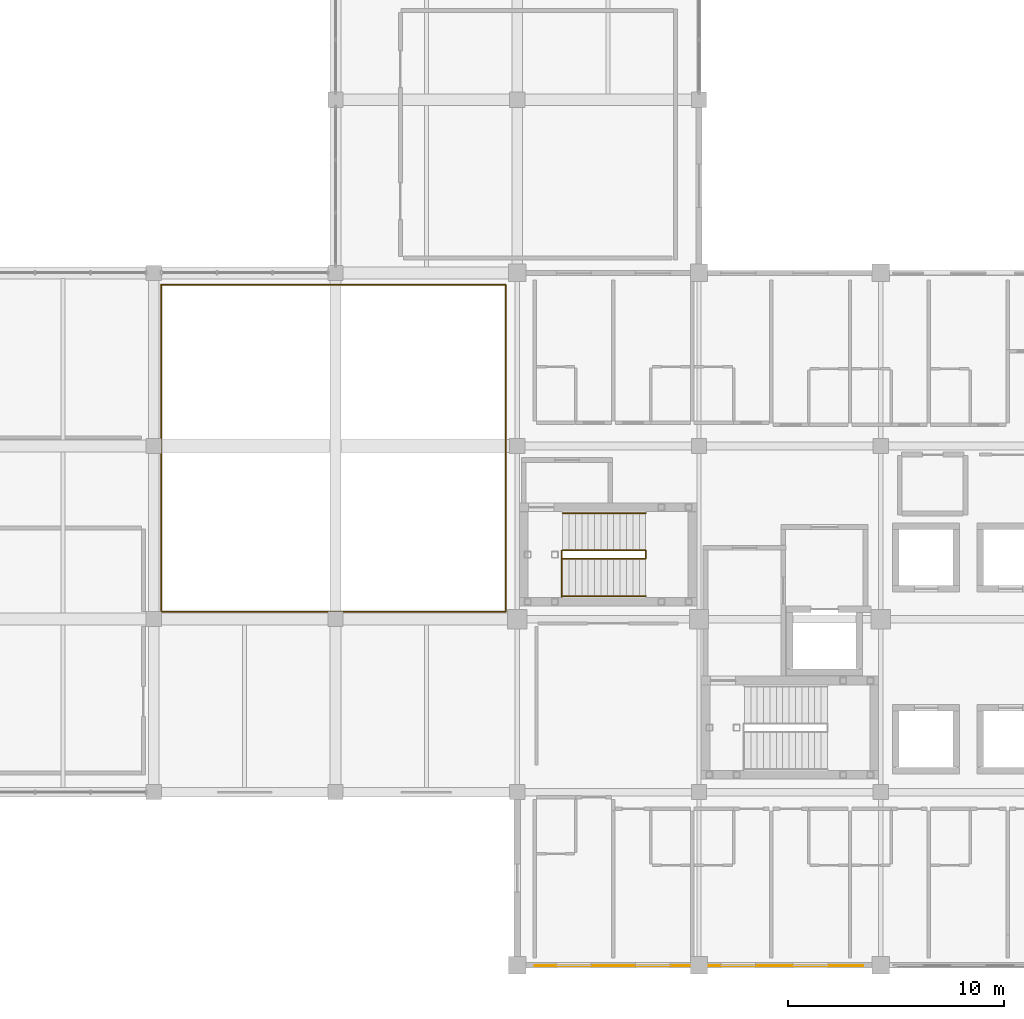
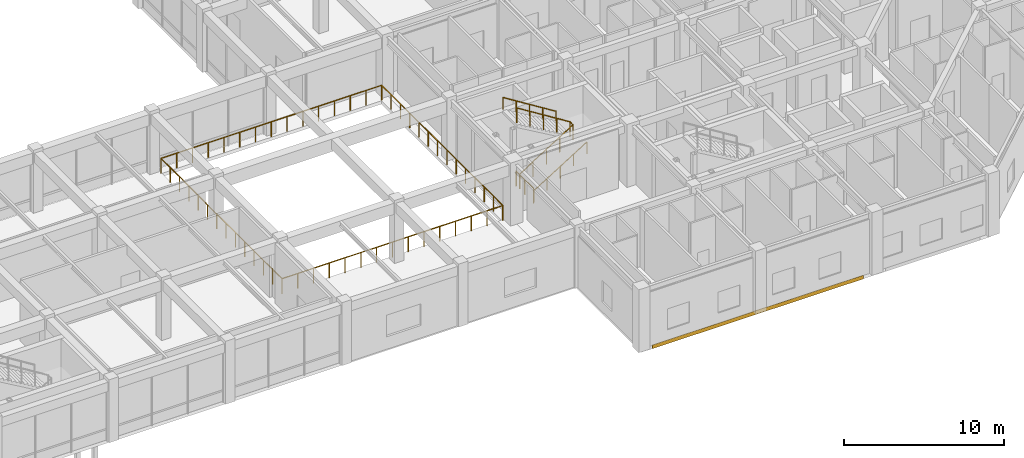
# One storey, part 73 of 76: 10 railings, 1 covering.
"""IFC4 building model written with IfcOpenShell, lengths in metres."""

from ifc_helpers import new_model, si_unit, direction, frame, origin, origin_2d, place, context, subcontext, project, spatial, rectangle, circle, extrude, material, layer, layer_set, type_object, element, save


model = new_model("IFC4")

# Units and contexts
model_context = context("Model", 3, precision=1e-05, world=origin(), true_north=direction((0.0, 1.0)))
body_context = subcontext(model_context, "Body", "Model", "MODEL_VIEW")
ifc_project = project(units=[si_unit("LENGTHUNIT", "METRE"), si_unit("AREAUNIT", "SQUARE_METRE"), si_unit("VOLUMEUNIT", "CUBIC_METRE"), si_unit("PLANEANGLEUNIT", "RADIAN"), si_unit("MASSUNIT", "GRAM", prefix="KILO")], contexts=[model_context])

# Site, building, storey
site_placement = place(None, origin())
site = spatial("IfcSite", under=ifc_project, at=site_placement, CompositionType="ELEMENT")
building_placement = place(site_placement, origin())
building = spatial("IfcBuilding", under=site, at=building_placement, Name="Naruveol Harbour Congress Hotel", CompositionType="ELEMENT")
storey_placement = place(building_placement, frame((0.0, 0.0, 11.39990234375)))
storey = spatial("IfcBuildingStorey", under=building, at=storey_placement, Name="L02", CompositionType="ELEMENT", Elevation=11.39990234375)

# Covering
ifc_material_1 = material(Name="Precast concrete C40/50", Category="concrete")
ifc_layer_1 = layer(ifc_material_1, 0.044921875)
ifc_layer_set_1 = layer_set([ifc_layer_1], Name="Precast concrete C40/50")
covering_type = type_object("IfcCoveringType", Name="HONED INCHEON GRANITE SPANDREL CLADDING 45", PredefinedType="CLADDING", material=ifc_layer_set_1)
covering_placement = place(storey_placement, frame((126.0, -0.02001953125, -0.31982421875), z_axis=(0.0, 0.0, 1.0), x_axis=(1.0, 0.0, 0.0)))
element("IfcCovering", 1, at=covering_placement, inside=storey, type_object=covering_type, Name="Granite spandrel fascia cladding #9", PredefinedType="CLADDING", context=body_context, shape_type="SweptSolid", body=[
    extrude(rectangle(XDim=15.199951171875, YDim=0.044921875, at=origin_2d()), origin(), (0.0, 0.0, 1.0), 0.280029296875),
])

# Railings
ifc_material_2 = material(Name="Tempered Laminated Safety Glass & Stainless Steel", Category="steel")
ifc_layer_2 = layer(ifc_material_2, 0.06005859375)
ifc_layer_set_2 = layer_set([ifc_layer_2], Name="Tempered Laminated Safety Glass & Stainless Steel")
railing_type_1 = type_object("IfcRailingType", Name="LAMINATED GLASS TERRACE BALUSTRADE 1150", PredefinedType="BALUSTRADE", material=ifc_layer_set_2)
railing_1_placement = place(storey_placement, frame((101.139892578125, 16.340087890625, 0.0)))
element("IfcRailing", 2, at=railing_1_placement, inside=storey, type_object=railing_type_1, Name="Courtyard atrium balustrade L02 #50", PredefinedType="BALUSTRADE", context=body_context, shape_type="SweptSolid", body=[
    extrude(circle(Radius=0.02392578125, at=origin_2d()), frame((0.0, 0.0, 1.1259765625), z_axis=(1.0, 0.0, 0.0), x_axis=(0.0, 1.0, 0.0)), (0.0, 0.0, 1.0), 15.920166015625),
    extrude(circle(Radius=0.02099609375, at=origin_2d()), origin(), (0.0, 0.0, 1.0), 1.101806640625),
    extrude(circle(Radius=0.02099609375, at=origin_2d()), frame((1.13720703125, 0.0, 0.0)), (0.0, 0.0, 1.0), 1.101806640625),
    extrude(circle(Radius=0.02099609375, at=origin_2d()), frame((2.2744140625, 0.0, 0.0)), (0.0, 0.0, 1.0), 1.101806640625),
    extrude(circle(Radius=0.02099609375, at=origin_2d()), frame((3.411376953125, 0.0, 0.0)), (0.0, 0.0, 1.0), 1.101806640625),
    extrude(circle(Radius=0.02099609375, at=origin_2d()), frame((4.548583984375, 0.0, 0.0)), (0.0, 0.0, 1.0), 1.101806640625),
    extrude(circle(Radius=0.02099609375, at=origin_2d()), frame((5.685791015625, 0.0, 0.0)), (0.0, 0.0, 1.0), 1.101806640625),
    extrude(circle(Radius=0.02099609375, at=origin_2d()), frame((6.822998046875, 0.0, 0.0)), (0.0, 0.0, 1.0), 1.101806640625),
    extrude(circle(Radius=0.02099609375, at=origin_2d()), frame((7.9599609375, 0.0, 0.0)), (0.0, 0.0, 1.0), 1.101806640625),
    extrude(circle(Radius=0.02099609375, at=origin_2d()), frame((9.09716796875, 0.0, 0.0)), (0.0, 0.0, 1.0), 1.101806640625),
    extrude(circle(Radius=0.02099609375, at=origin_2d()), frame((10.234375, 0.0, 0.0)), (0.0, 0.0, 1.0), 1.101806640625),
    extrude(circle(Radius=0.02099609375, at=origin_2d()), frame((11.37158203125, 0.0, 0.0)), (0.0, 0.0, 1.0), 1.101806640625),
    extrude(circle(Radius=0.02099609375, at=origin_2d()), frame((12.5087890625, 0.0, 0.0)), (0.0, 0.0, 1.0), 1.101806640625),
    extrude(circle(Radius=0.02099609375, at=origin_2d()), frame((13.645751953125, 0.0, 0.0)), (0.0, 0.0, 1.0), 1.101806640625),
    extrude(circle(Radius=0.02099609375, at=origin_2d()), frame((14.782958984375, 0.0, 0.0)), (0.0, 0.0, 1.0), 1.101806640625),
    extrude(circle(Radius=0.02099609375, at=origin_2d()), frame((15.920166015625, 0.0, 0.0)), (0.0, 0.0, 1.0), 1.101806640625),
])
railing_2_placement = place(storey_placement, frame((117.06005859375, 16.340087890625, 0.0)))
element("IfcRailing", 3, at=railing_2_placement, inside=storey, type_object=railing_type_1, Name="Courtyard atrium balustrade L02 #51", PredefinedType="BALUSTRADE", context=body_context, shape_type="SweptSolid", body=[
    extrude(circle(Radius=0.02392578125, at=origin_2d()), frame((0.0, 0.0, 1.1259765625), z_axis=(0.0, 1.0, 0.0), x_axis=(-1.0, 0.0, 0.0)), (0.0, 0.0, 1.0), 15.119873046875),
    extrude(circle(Radius=0.02099609375, at=origin_2d()), origin(), (0.0, 0.0, 1.0), 1.101806640625),
    extrude(circle(Radius=0.02099609375, at=origin_2d()), frame((0.0, 1.1630859375, 0.0)), (0.0, 0.0, 1.0), 1.101806640625),
    extrude(circle(Radius=0.02099609375, at=origin_2d()), frame((0.0, 2.326171875, 0.0)), (0.0, 0.0, 1.0), 1.101806640625),
    extrude(circle(Radius=0.02099609375, at=origin_2d()), frame((0.0, 3.4892578125, 0.0)), (0.0, 0.0, 1.0), 1.101806640625),
    extrude(circle(Radius=0.02099609375, at=origin_2d()), frame((0.0, 4.65234375, 0.0)), (0.0, 0.0, 1.0), 1.101806640625),
    extrude(circle(Radius=0.02099609375, at=origin_2d()), frame((0.0, 5.8154296875, 0.0)), (0.0, 0.0, 1.0), 1.101806640625),
    extrude(circle(Radius=0.02099609375, at=origin_2d()), frame((0.0, 6.978515625, 0.0)), (0.0, 0.0, 1.0), 1.101806640625),
    extrude(circle(Radius=0.02099609375, at=origin_2d()), frame((0.0, 8.141357421875, 0.0)), (0.0, 0.0, 1.0), 1.101806640625),
    extrude(circle(Radius=0.02099609375, at=origin_2d()), frame((0.0, 9.304443359375, 0.0)), (0.0, 0.0, 1.0), 1.101806640625),
    extrude(circle(Radius=0.02099609375, at=origin_2d()), frame((0.0, 10.467529296875, 0.0)), (0.0, 0.0, 1.0), 1.101806640625),
    extrude(circle(Radius=0.02099609375, at=origin_2d()), frame((0.0, 11.630615234375, 0.0)), (0.0, 0.0, 1.0), 1.101806640625),
    extrude(circle(Radius=0.02099609375, at=origin_2d()), frame((0.0, 12.793701171875, 0.0)), (0.0, 0.0, 1.0), 1.101806640625),
    extrude(circle(Radius=0.02099609375, at=origin_2d()), frame((0.0, 13.956787109375, 0.0)), (0.0, 0.0, 1.0), 1.101806640625),
    extrude(circle(Radius=0.02099609375, at=origin_2d()), frame((0.0, 15.119873046875, 0.0)), (0.0, 0.0, 1.0), 1.101806640625),
])
railing_3_placement = place(storey_placement, frame((117.06005859375, 31.4599609375, 0.0)))
element("IfcRailing", 4, at=railing_3_placement, inside=storey, type_object=railing_type_1, Name="Courtyard atrium balustrade L02 #52", PredefinedType="BALUSTRADE", context=body_context, shape_type="SweptSolid", body=[
    extrude(circle(Radius=0.02392578125, at=origin_2d()), frame((0.0, 0.0, 1.1259765625), z_axis=(-1.0, 0.0, 0.0), x_axis=(0.0, -1.0, 0.0)), (0.0, 0.0, 1.0), 15.920166015625),
    extrude(circle(Radius=0.02099609375, at=origin_2d()), origin(), (0.0, 0.0, 1.0), 1.101806640625),
    extrude(circle(Radius=0.02099609375, at=origin_2d()), frame((-1.13720703125, 0.0, 0.0)), (0.0, 0.0, 1.0), 1.101806640625),
    extrude(circle(Radius=0.02099609375, at=origin_2d()), frame((-2.2744140625, 0.0, 0.0)), (0.0, 0.0, 1.0), 1.101806640625),
    extrude(circle(Radius=0.02099609375, at=origin_2d()), frame((-3.411376953125, 0.0, 0.0)), (0.0, 0.0, 1.0), 1.101806640625),
    extrude(circle(Radius=0.02099609375, at=origin_2d()), frame((-4.548583984375, 0.0, 0.0)), (0.0, 0.0, 1.0), 1.101806640625),
    extrude(circle(Radius=0.02099609375, at=origin_2d()), frame((-5.685791015625, 0.0, 0.0)), (0.0, 0.0, 1.0), 1.101806640625),
    extrude(circle(Radius=0.02099609375, at=origin_2d()), frame((-6.822998046875, 0.0, 0.0)), (0.0, 0.0, 1.0), 1.101806640625),
    extrude(circle(Radius=0.02099609375, at=origin_2d()), frame((-7.9599609375, 0.0, 0.0)), (0.0, 0.0, 1.0), 1.101806640625),
    extrude(circle(Radius=0.02099609375, at=origin_2d()), frame((-9.09716796875, 0.0, 0.0)), (0.0, 0.0, 1.0), 1.101806640625),
    extrude(circle(Radius=0.02099609375, at=origin_2d()), frame((-10.234375, 0.0, 0.0)), (0.0, 0.0, 1.0), 1.101806640625),
    extrude(circle(Radius=0.02099609375, at=origin_2d()), frame((-11.37158203125, 0.0, 0.0)), (0.0, 0.0, 1.0), 1.101806640625),
    extrude(circle(Radius=0.02099609375, at=origin_2d()), frame((-12.5087890625, 0.0, 0.0)), (0.0, 0.0, 1.0), 1.101806640625),
    extrude(circle(Radius=0.02099609375, at=origin_2d()), frame((-13.645751953125, 0.0, 0.0)), (0.0, 0.0, 1.0), 1.101806640625),
    extrude(circle(Radius=0.02099609375, at=origin_2d()), frame((-14.782958984375, 0.0, 0.0)), (0.0, 0.0, 1.0), 1.101806640625),
    extrude(circle(Radius=0.02099609375, at=origin_2d()), frame((-15.920166015625, 0.0, 0.0)), (0.0, 0.0, 1.0), 1.101806640625),
])
railing_4_placement = place(storey_placement, frame((101.139892578125, 31.4599609375, 0.0)))
element("IfcRailing", 5, at=railing_4_placement, inside=storey, type_object=railing_type_1, Name="Courtyard atrium balustrade L02 #53", PredefinedType="BALUSTRADE", context=body_context, shape_type="SweptSolid", body=[
    extrude(circle(Radius=0.02392578125, at=origin_2d()), frame((0.0, 0.0, 1.1259765625), z_axis=(0.0, -1.0, 0.0), x_axis=(1.0, 0.0, 0.0)), (0.0, 0.0, 1.0), 15.119873046875),
    extrude(circle(Radius=0.02099609375, at=origin_2d()), origin(), (0.0, 0.0, 1.0), 1.101806640625),
    extrude(circle(Radius=0.02099609375, at=origin_2d()), frame((0.0, -1.1630859375, 0.0)), (0.0, 0.0, 1.0), 1.101806640625),
    extrude(circle(Radius=0.02099609375, at=origin_2d()), frame((0.0, -2.326171875, 0.0)), (0.0, 0.0, 1.0), 1.101806640625),
    extrude(circle(Radius=0.02099609375, at=origin_2d()), frame((0.0, -3.4892578125, 0.0)), (0.0, 0.0, 1.0), 1.101806640625),
    extrude(circle(Radius=0.02099609375, at=origin_2d()), frame((0.0, -4.65234375, 0.0)), (0.0, 0.0, 1.0), 1.101806640625),
    extrude(circle(Radius=0.02099609375, at=origin_2d()), frame((0.0, -5.8154296875, 0.0)), (0.0, 0.0, 1.0), 1.101806640625),
    extrude(circle(Radius=0.02099609375, at=origin_2d()), frame((0.0, -6.978515625, 0.0)), (0.0, 0.0, 1.0), 1.101806640625),
    extrude(circle(Radius=0.02099609375, at=origin_2d()), frame((0.0, -8.141357421875, 0.0)), (0.0, 0.0, 1.0), 1.101806640625),
    extrude(circle(Radius=0.02099609375, at=origin_2d()), frame((0.0, -9.304443359375, 0.0)), (0.0, 0.0, 1.0), 1.101806640625),
    extrude(circle(Radius=0.02099609375, at=origin_2d()), frame((0.0, -10.467529296875, 0.0)), (0.0, 0.0, 1.0), 1.101806640625),
    extrude(circle(Radius=0.02099609375, at=origin_2d()), frame((0.0, -11.630615234375, 0.0)), (0.0, 0.0, 1.0), 1.101806640625),
    extrude(circle(Radius=0.02099609375, at=origin_2d()), frame((0.0, -12.793701171875, 0.0)), (0.0, 0.0, 1.0), 1.101806640625),
    extrude(circle(Radius=0.02099609375, at=origin_2d()), frame((0.0, -13.956787109375, 0.0)), (0.0, 0.0, 1.0), 1.101806640625),
    extrude(circle(Radius=0.02099609375, at=origin_2d()), frame((0.0, -15.119873046875, 0.0)), (0.0, 0.0, 1.0), 1.101806640625),
])
ifc_material_3 = material(Name="Stainless Steel 304", Category="steel")
ifc_layer_3 = layer(ifc_material_3, 0.0419921875)
ifc_layer_set_3 = layer_set([ifc_layer_3], Name="Stainless Steel 304")
railing_type_2 = type_object("IfcRailingType", Name="STAIR WALL MOUNTED HANDRAIL 900", PredefinedType="HANDRAIL", material=ifc_layer_set_3)
railing_5_placement = place(storey_placement, frame((119.699951171875, 17.06005859375, 0.0)))
element("IfcRailing", 6, at=railing_5_placement, inside=storey, type_object=railing_type_2, Name="Stair ST3 L02 lower wall handrail", PredefinedType="HANDRAIL", context=body_context, shape_type="SweptSolid", body=[
    extrude(circle(Radius=0.02392578125, at=origin_2d()), frame((0.0, 0.0, 0.8759765625), z_axis=(0.847670718537, 0.0, 0.530522716701), x_axis=(0.0, 1.0, 0.0)), (0.0, 0.0, 1.0), 4.524169921875),
    extrude(circle(Radius=0.02099609375, at=origin_2d()), origin(), (0.0, 0.0, 1.0), 0.851806640625),
    extrude(circle(Radius=0.02099609375, at=origin_2d()), frame((0.958740234375, 0.0, 0.60009765625)), (0.0, 0.0, 1.0), 0.851806640625),
    extrude(circle(Radius=0.02099609375, at=origin_2d()), frame((1.91748046875, 0.0, 1.2001953125)), (0.0, 0.0, 1.0), 0.851806640625),
    extrude(circle(Radius=0.02099609375, at=origin_2d()), frame((2.876220703125, 0.0, 1.800048828125)), (0.0, 0.0, 1.0), 0.851806640625),
    extrude(circle(Radius=0.02099609375, at=origin_2d()), frame((3.8349609375, 0.0, 2.400146484375)), (0.0, 0.0, 1.0), 0.851806640625),
])
railing_6_placement = place(storey_placement, frame((123.534912109375, 20.89990234375, 2.400146484375)))
element("IfcRailing", 7, at=railing_6_placement, inside=storey, type_object=railing_type_2, Name="Stair ST3 L02 upper wall handrail", PredefinedType="HANDRAIL", context=body_context, shape_type="SweptSolid", body=[
    extrude(circle(Radius=0.02392578125, at=origin_2d()), frame((0.0, 0.0, 0.8759765625), z_axis=(-0.847694986538, 0.0, 0.530483939246), x_axis=(0.0, -1.0, 0.0)), (0.0, 0.0, 1.0), 4.52392578125),
    extrude(circle(Radius=0.02099609375, at=origin_2d()), origin(), (0.0, 0.0, 1.0), 0.851806640625),
    extrude(circle(Radius=0.02099609375, at=origin_2d()), frame((-0.958740234375, 0.0, 0.60009765625)), (0.0, 0.0, 1.0), 0.851806640625),
    extrude(circle(Radius=0.02099609375, at=origin_2d()), frame((-1.91748046875, 0.0, 1.199951171875)), (0.0, 0.0, 1.0), 0.851806640625),
    extrude(circle(Radius=0.02099609375, at=origin_2d()), frame((-2.876220703125, 0.0, 1.7998046875)), (0.0, 0.0, 1.0), 0.851806640625),
    extrude(circle(Radius=0.02099609375, at=origin_2d()), frame((-3.8349609375, 0.0, 2.39990234375)), (0.0, 0.0, 1.0), 0.851806640625),
])
ifc_material_4 = material(Name="Steel SN490", Category="steel")
ifc_layer_4 = layer(ifc_material_4, 0.044921875)
ifc_layer_set_4 = layer_set([ifc_layer_4], Name="Steel SN490")
railing_type_3 = type_object("IfcRailingType", Name="STAIRWELL STEEL GUARDRAIL 1150", PredefinedType="GUARDRAIL", material=ifc_layer_set_4)
railing_7_placement = place(storey_placement, frame((119.699951171875, 18.7900390625, 0.0)))
element("IfcRailing", 8, at=railing_7_placement, inside=storey, type_object=railing_type_3, Name="Stair ST3 L02 lower well guard", PredefinedType="GUARDRAIL", context=body_context, shape_type="SweptSolid", body=[
    extrude(circle(Radius=0.02392578125, at=origin_2d()), frame((0.0, 0.0, 1.1259765625), z_axis=(0.847670718537, 0.0, 0.530522716701), x_axis=(0.0, 1.0, 0.0)), (0.0, 0.0, 1.0), 4.524169921875),
    extrude(circle(Radius=0.02099609375, at=origin_2d()), origin(), (0.0, 0.0, 1.0), 1.101806640625),
    extrude(circle(Radius=0.02099609375, at=origin_2d()), frame((0.958740234375, 0.0, 0.60009765625)), (0.0, 0.0, 1.0), 1.101806640625),
    extrude(circle(Radius=0.02099609375, at=origin_2d()), frame((1.91748046875, 0.0, 1.2001953125)), (0.0, 0.0, 1.0), 1.101806640625),
    extrude(circle(Radius=0.02099609375, at=origin_2d()), frame((2.876220703125, 0.0, 1.800048828125)), (0.0, 0.0, 1.0), 1.101806640625),
    extrude(circle(Radius=0.02099609375, at=origin_2d()), frame((3.8349609375, 0.0, 2.400146484375)), (0.0, 0.0, 1.0), 1.101806640625),
])
railing_8_placement = place(storey_placement, frame((123.534912109375, 18.7900390625, 2.400146484375)))
element("IfcRailing", 9, at=railing_8_placement, inside=storey, type_object=railing_type_3, Name="Stair ST3 L02 half-landing slot guard", PredefinedType="GUARDRAIL", context=body_context, shape_type="SweptSolid", body=[
    extrude(circle(Radius=0.02392578125, at=origin_2d()), frame((0.0, 0.0, 1.1259765625), z_axis=(0.0, 1.0, 0.0), x_axis=(-1.0, 0.0, 0.0)), (0.0, 0.0, 1.0), 0.3798828125),
    extrude(circle(Radius=0.02099609375, at=origin_2d()), origin(), (0.0, 0.0, 1.0), 1.101806640625),
    extrude(circle(Radius=0.02099609375, at=origin_2d()), frame((0.0, 0.3798828125, 0.0)), (0.0, 0.0, 1.0), 1.101806640625),
])
railing_9_placement = place(storey_placement, frame((123.534912109375, 19.169921875, 2.400146484375)))
element("IfcRailing", 10, at=railing_9_placement, inside=storey, type_object=railing_type_3, Name="Stair ST3 L02 upper well guard", PredefinedType="GUARDRAIL", context=body_context, shape_type="SweptSolid", body=[
    extrude(circle(Radius=0.02392578125, at=origin_2d()), frame((0.0, 0.0, 1.1259765625), z_axis=(-0.847694986538, 0.0, 0.530483939246), x_axis=(0.0, -1.0, 0.0)), (0.0, 0.0, 1.0), 4.52392578125),
    extrude(circle(Radius=0.02099609375, at=origin_2d()), origin(), (0.0, 0.0, 1.0), 1.101806640625),
    extrude(circle(Radius=0.02099609375, at=origin_2d()), frame((-0.958740234375, 0.0, 0.60009765625)), (0.0, 0.0, 1.0), 1.101806640625),
    extrude(circle(Radius=0.02099609375, at=origin_2d()), frame((-1.91748046875, 0.0, 1.199951171875)), (0.0, 0.0, 1.0), 1.101806640625),
    extrude(circle(Radius=0.02099609375, at=origin_2d()), frame((-2.876220703125, 0.0, 1.7998046875)), (0.0, 0.0, 1.0), 1.101806640625),
    extrude(circle(Radius=0.02099609375, at=origin_2d()), frame((-3.8349609375, 0.0, 2.39990234375)), (0.0, 0.0, 1.0), 1.101806640625),
])
railing_10_placement = place(storey_placement, frame((119.659912109375, 17.02001953125, 0.0)))
element("IfcRailing", 11, at=railing_10_placement, inside=storey, type_object=railing_type_3, Name="Stair ST3 L02 landing well guard", PredefinedType="GUARDRAIL", context=body_context, shape_type="SweptSolid", body=[
    extrude(circle(Radius=0.02392578125, at=origin_2d()), frame((0.0, 0.0, 1.1259765625), z_axis=(0.0, 1.0, 0.0), x_axis=(-1.0, 0.0, 0.0)), (0.0, 0.0, 1.0), 2.14990234375),
    extrude(circle(Radius=0.02099609375, at=origin_2d()), origin(), (0.0, 0.0, 1.0), 1.101806640625),
    extrude(circle(Radius=0.02099609375, at=origin_2d()), frame((0.0, 1.074951171875, 0.0)), (0.0, 0.0, 1.0), 1.101806640625),
    extrude(circle(Radius=0.02099609375, at=origin_2d()), frame((0.0, 2.14990234375, 0.0)), (0.0, 0.0, 1.0), 1.101806640625),
])

save(model, "model.ifc")
